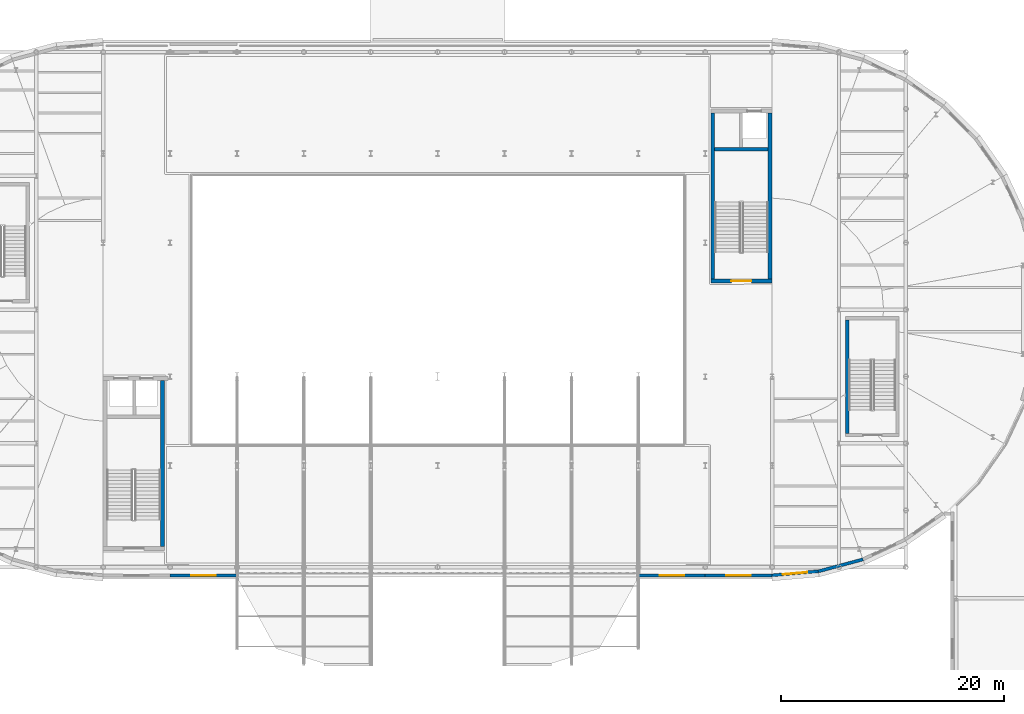
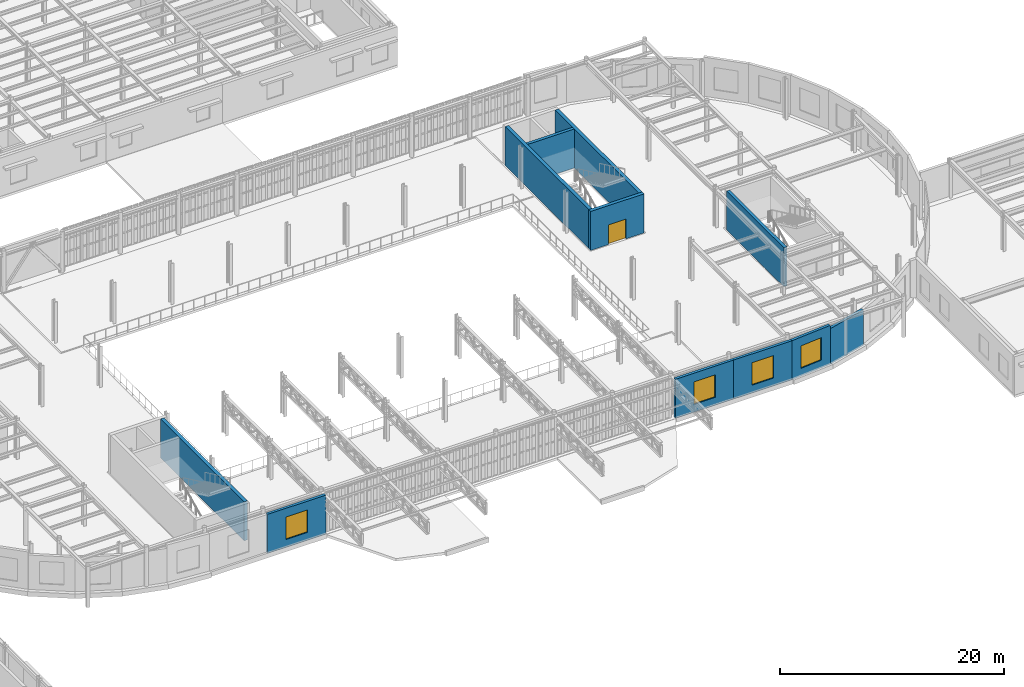
# One storey, part 66 of 91: 11 walls, 4 windows, 1 door, 5 openings.
"""IFC4 building model written with IfcOpenShell, lengths in metres."""

from ifc_helpers import new_model, si_unit, direction, frame, frame_2d, origin, place, context, subcontext, project, spatial, rectangle, extrude, material, layer, layer_set, type_object, element, fill, save


model = new_model("IFC4")

# Units and contexts
model_context = context("Model", 3, precision=1e-05, world=origin(), true_north=direction((0.0, 1.0)))
body_context = subcontext(model_context, "Body", "Model", "MODEL_VIEW")
ifc_project = project(units=[si_unit("LENGTHUNIT", "METRE"), si_unit("AREAUNIT", "SQUARE_METRE"), si_unit("VOLUMEUNIT", "CUBIC_METRE"), si_unit("PLANEANGLEUNIT", "RADIAN"), si_unit("MASSUNIT", "GRAM", prefix="KILO")], contexts=[model_context])

# Site, building, storey
site_placement = place(None, origin())
site = spatial("IfcSite", under=ifc_project, at=site_placement, CompositionType="ELEMENT")
building_placement = place(site_placement, origin())
building = spatial("IfcBuilding", under=site, at=building_placement, Name="Kolvaren Corner Interchange", CompositionType="ELEMENT")
storey_placement = place(building_placement, frame((0.0, 0.0, 6.0)))
storey = spatial("IfcBuildingStorey", under=building, at=storey_placement, Name="L02", CompositionType="ELEMENT", Elevation=6.0)

# Wall
ifc_material_1 = material(Name="Concrete C35/45", Category="concrete")
ifc_layer_1 = layer(ifc_material_1, 0.35009765625)
ifc_layer_set_1 = layer_set([ifc_layer_1], Name="Concrete C35/45")
wall_type_1 = type_object("IfcWallType", Name="WL-CORE-350", PredefinedType="SHEAR", material=ifc_layer_set_1)
wall_1_placement = place(storey_placement, frame((65.324951171875, 26.75, 0.0), z_axis=(0.0, 0.0, 1.0), x_axis=(0.0, 1.0, 0.0)))
element("IfcWall", 1, at=wall_1_placement, inside=storey, type_object=wall_type_1, Name="Core C3 L02 East Shear Wall", PredefinedType="SHEAR", context=body_context, shape_type="SweptSolid", body=[
    extrude(rectangle(XDim=14.89990234375, YDim=0.35009765625, at=frame_2d((7.449951171875, 0.0))), origin(), (0.0, 0.0, 1.0), 4.25),
])

# Wall, opening, door
wall_2_placement = place(storey_placement, frame((114.5, 50.574951171875, 0.0), z_axis=(0.0, 0.0, 1.0), x_axis=(1.0, 0.0, 0.0)))
wall_2 = element("IfcWall", 2, at=wall_2_placement, inside=storey, type_object=wall_type_1, Name="Core C4 L02 South Shear Wall", PredefinedType="SHEAR", context=body_context, shape_type="SweptSolid", body=[
    extrude(rectangle(XDim=5.5, YDim=0.35009765625, at=frame_2d((2.75, 0.0))), origin(), (0.0, 0.0, 1.0), 4.25),
])
opening_1_placement = place(wall_2_placement, frame((1.85009765625, 0.0, 0.0)))
opening_1 = element("IfcOpeningElement", 3, at=opening_1_placement, cuts=wall_2, Name="Opening D-F01", PredefinedType="OPENING", context=body_context, shape_type="SweptSolid", body=[
    extrude(rectangle(XDim=1.800048828125, YDim=2.14990234375, at=frame_2d((0.89990234375, 1.074951171875))), frame((0.0, 0.18505859375, 0.0), z_axis=(0.0, -1.0, 0.0), x_axis=(1.0, 0.0, 0.0)), (0.0, 0.0, 1.0), 0.3701171875),
])
ifc_material_2 = material(Name="Powder-coated Fire-rated Steel Sheet", Category="steel")
door_type = type_object("IfcDoorType", Name="DT-FD-1800x2150", OperationType="NOTDEFINED", PredefinedType="DOOR", material=ifc_material_2)
door_placement = place(opening_1_placement, origin())
door = element("IfcDoor", 4, at=door_placement, inside=storey, type_object=door_type, Name="Core C4 East Concourse Transfer Stair L02 Protected Exit Door", OperationType="DOUBLE_DOOR_SINGLE_SWING", OverallHeight=2.14990234375, OverallWidth=1.800048828125, PredefinedType="DOOR", context=body_context, shape_type="SweptSolid", body=[
    extrude(rectangle(XDim=1.800048828125, YDim=2.14990234375, at=frame_2d((0.89990234375, 1.074951171875))), frame((0.0, 0.02490234375, 0.0), z_axis=(0.0, -1.0, 0.0), x_axis=(1.0, 0.0, 0.0)), (0.0, 0.0, 1.0), 0.050048828125),
])
fill(opening_1, door)

# Walls
for number, where, z_axis, x_axis, name in (
    (5, (114.675048828125, 50.75, 0.0), (0.0, 0.0, 1.0), (0.0, 1.0, 0.0), "Core C4 L02 West Shear Wall"),
    (6, (119.824951171875, 50.75, 0.0), (0.0, 0.0, 1.0), (0.0, 1.0, 0.0), "Core C4 L02 East Shear Wall"),
):
    element("IfcWall", number, at=place(storey_placement, frame(where, z_axis=z_axis, x_axis=x_axis)), inside=storey, type_object=wall_type_1, Name=name, PredefinedType="SHEAR", context=body_context, shape_type="SweptSolid", body=[
        extrude(rectangle(XDim=14.89990234375, YDim=0.35009765625, at=frame_2d((7.449951171875, 0.0))), origin(), (0.0, 0.0, 1.0), 4.25),
    ])
ifc_material_3 = material(Name="Concrete C35/45", Category="concrete")
ifc_layer_2 = layer(ifc_material_3, 0.31005859375)
ifc_layer_set_2 = layer_set([ifc_layer_2], Name="Concrete C35/45")
wall_type_2 = type_object("IfcWallType", Name="WL-STAIR-300", PredefinedType="SHEAR", material=ifc_layer_set_2)
wall_3_placement = place(storey_placement, frame((114.85009765625, 62.39990234375, 0.0), z_axis=(0.0, 0.0, 1.0), x_axis=(1.0, 0.0, 0.0)))
element("IfcWall", 7, at=wall_3_placement, inside=storey, type_object=wall_type_2, Name="Core C4 L02 Lift and Stairwell Divider Wall", PredefinedType="SHEAR", context=body_context, shape_type="SweptSolid", body=[
    extrude(rectangle(XDim=4.7998046875, YDim=0.31005859375, at=frame_2d((2.39990234375, 0.0))), origin(), (0.0, 0.0, 1.0), 4.25),
])
wall_4_placement = place(storey_placement, frame((126.7548828125, 36.909912109375, 0.0), z_axis=(0.0, 0.0, 1.0), x_axis=(0.0, 1.0, 0.0)))
element("IfcWall", 8, at=wall_4_placement, inside=storey, type_object=wall_type_2, Name="East Racetrack Concourse Gallery Stair L02 West Enclosure Wall", PredefinedType="SHEAR", context=body_context, shape_type="SweptSolid", body=[
    extrude(rectangle(XDim=10.18017578125, YDim=0.31005859375, at=frame_2d((5.090087890625, 0.0))), origin(), (0.0, 0.0, 1.0), 4.25),
])

# Wall, opening, window
ifc_material_4 = material(Name="White Glazed Ceramic Terracotta Band Assembly", Category="masonry")
ifc_layer_3 = layer(ifc_material_4, 0.280029296875)
ifc_layer_set_3 = layer_set([ifc_layer_3], Name="White Glazed Ceramic Terracotta Band Assembly")
wall_type_3 = type_object("IfcWallType", Name="WT-EXT-WHT280", PredefinedType="SOLIDWALL", material=ifc_layer_set_3)
wall_5_placement = place(storey_placement, frame((120.0, 24.159912109375, 0.0), z_axis=(0.0, 0.0, 1.0), x_axis=(0.99619237826, 0.087182254487, 0.0)))
wall_5 = element("IfcWall", 9, at=wall_5_placement, inside=storey, type_object=wall_type_3, Name="Racetrack East Curved Drum Chord 01 Wall 0116", PredefinedType="SOLIDWALL", context=body_context, shape_type="SweptSolid", body=[
    extrude(rectangle(XDim=4.15576171875, YDim=0.280029296875, at=frame_2d((2.077880859375, 0.0))), origin(), (0.0, 0.0, 1.0), 4.25),
])
opening_2_placement = place(wall_5_placement, frame((0.977783203125, 0.0, 0.85009765625)))
opening_2 = element("IfcOpeningElement", 10, at=opening_2_placement, cuts=wall_5, Name="Opening W-04", PredefinedType="OPENING", context=body_context, shape_type="SweptSolid", body=[
    extrude(rectangle(XDim=2.199951171875, YDim=2.449951171875, at=frame_2d((1.10009765625, 1.22509765625))), frame((0.0, 0.14990234375, 0.0), z_axis=(0.0, -1.0, 0.0), x_axis=(1.0, 0.0, 0.0)), (0.0, 0.0, 1.0), 0.300048828125),
])
ifc_material_5 = material(Name="Thermally Broken Aluminium and Solar-Control Double Glazing", Category="aluminium")
window_type = type_object("IfcWindowType", Name="WT-ARC-2200x2450", PartitioningType="DOUBLE_PANEL_VERTICAL", PredefinedType="WINDOW", material=ifc_material_5)
window_1_placement = place(opening_2_placement, origin())
window_1 = element("IfcWindow", 11, at=window_1_placement, inside=storey, type_object=window_type, Name="L02 Racetrack East Curved Drum Chord 01 Window 0184", OverallHeight=2.449951171875, OverallWidth=2.199951171875, PartitioningType="SINGLE_PANEL", PredefinedType="WINDOW", context=body_context, shape_type="SweptSolid", body=[
    extrude(rectangle(XDim=2.199951171875, YDim=2.449951171875, at=frame_2d((1.10009765625, 1.22509765625))), frame((0.0, 0.030029296875, 0.0), z_axis=(0.0, -1.0, 0.0), x_axis=(1.0, 0.0, 0.0)), (0.0, 0.0, 1.0), 0.06005859375),
])
fill(opening_2, window_1)

# Wall
wall_6_placement = place(storey_placement, frame((124.139892578125, 24.522216796875, 0.0), z_axis=(0.0, 0.0, 1.0), x_axis=(0.965931006096, 0.258799713026, 0.0)))
element("IfcWall", 12, at=wall_6_placement, inside=storey, type_object=wall_type_3, Name="Racetrack East Curved Drum Chord 02 Wall 0117", PredefinedType="SOLIDWALL", context=body_context, shape_type="SweptSolid", body=[
    extrude(rectangle(XDim=4.155517578125, YDim=0.280029296875, at=frame_2d((2.07763671875, 0.0))), origin(), (0.0, 0.0, 1.0), 3.885009765625),
])

# Wall, opening, window
wall_7_placement = place(storey_placement, frame((66.0, 24.159912109375, 0.0), z_axis=(0.0, 0.0, 1.0), x_axis=(1.0, 0.0, 0.0)))
wall_7 = element("IfcWall", 13, at=wall_7_placement, inside=storey, type_object=wall_type_3, Name="South Portal Flank West Mezzanine Wall 0152", PredefinedType="SOLIDWALL", context=body_context, shape_type="SweptSolid", body=[
    extrude(rectangle(XDim=6.0, YDim=0.280029296875, at=frame_2d((3.0, 0.0))), origin(), (0.0, 0.0, 1.0), 4.25),
])
opening_3_placement = place(wall_7_placement, frame((1.89990234375, 0.0, 0.85009765625)))
opening_3 = element("IfcOpeningElement", 14, at=opening_3_placement, cuts=wall_7, Name="Opening W-04", PredefinedType="OPENING", context=body_context, shape_type="SweptSolid", body=[
    extrude(rectangle(XDim=2.199951171875, YDim=2.449951171875, at=frame_2d((1.10009765625, 1.22509765625))), frame((0.0, 0.14990234375, 0.0), z_axis=(0.0, -1.0, 0.0), x_axis=(1.0, 0.0, 0.0)), (0.0, 0.0, 1.0), 0.300048828125),
])
window_2_placement = place(opening_3_placement, origin())
window_2 = element("IfcWindow", 15, at=window_2_placement, inside=storey, type_object=window_type, Name="L02 South Portal Flank West Mezzanine Window 0214", OverallHeight=2.449951171875, OverallWidth=2.199951171875, PartitioningType="SINGLE_PANEL", PredefinedType="WINDOW", context=body_context, shape_type="SweptSolid", body=[
    extrude(rectangle(XDim=2.199951171875, YDim=2.449951171875, at=frame_2d((1.10009765625, 1.22509765625))), frame((0.0, 0.030029296875, 0.0), z_axis=(0.0, -1.0, 0.0), x_axis=(1.0, 0.0, 0.0)), (0.0, 0.0, 1.0), 0.06005859375),
])
fill(opening_3, window_2)

wall_8_placement = place(storey_placement, frame((108.0, 24.159912109375, 0.0), z_axis=(0.0, 0.0, 1.0), x_axis=(1.0, 0.0, 0.0)))
wall_8 = element("IfcWall", 16, at=wall_8_placement, inside=storey, type_object=wall_type_3, Name="South Portal Flank East Mezzanine Wall 0154", PredefinedType="SOLIDWALL", context=body_context, shape_type="SweptSolid", body=[
    extrude(rectangle(XDim=6.0, YDim=0.280029296875, at=frame_2d((3.0, 0.0))), origin(), (0.0, 0.0, 1.0), 4.25),
])
opening_4_placement = place(wall_8_placement, frame((1.89990234375, 0.0, 0.85009765625)))
opening_4 = element("IfcOpeningElement", 17, at=opening_4_placement, cuts=wall_8, Name="Opening W-04", PredefinedType="OPENING", context=body_context, shape_type="SweptSolid", body=[
    extrude(rectangle(XDim=2.199951171875, YDim=2.449951171875, at=frame_2d((1.10009765625, 1.22509765625))), frame((0.0, 0.14990234375, 0.0), z_axis=(0.0, -1.0, 0.0), x_axis=(1.0, 0.0, 0.0)), (0.0, 0.0, 1.0), 0.300048828125),
])
window_3_placement = place(opening_4_placement, origin())
window_3 = element("IfcWindow", 18, at=window_3_placement, inside=storey, type_object=window_type, Name="L02 South Portal Flank East Mezzanine Window 0215", OverallHeight=2.449951171875, OverallWidth=2.199951171875, PartitioningType="SINGLE_PANEL", PredefinedType="WINDOW", context=body_context, shape_type="SweptSolid", body=[
    extrude(rectangle(XDim=2.199951171875, YDim=2.449951171875, at=frame_2d((1.10009765625, 1.22509765625))), frame((0.0, 0.030029296875, 0.0), z_axis=(0.0, -1.0, 0.0), x_axis=(1.0, 0.0, 0.0)), (0.0, 0.0, 1.0), 0.06005859375),
])
fill(opening_4, window_3)

wall_9_placement = place(storey_placement, frame((114.0, 24.159912109375, 0.0), z_axis=(0.0, 0.0, 1.0), x_axis=(1.0, 0.0, 0.0)))
wall_9 = element("IfcWall", 19, at=wall_9_placement, inside=storey, type_object=wall_type_3, Name="South East Concourse Mezzanine Wall 0156", PredefinedType="SOLIDWALL", context=body_context, shape_type="SweptSolid", body=[
    extrude(rectangle(XDim=6.0, YDim=0.280029296875, at=frame_2d((3.0, 0.0))), origin(), (0.0, 0.0, 1.0), 4.25),
])
opening_5_placement = place(wall_9_placement, frame((1.89990234375, 0.0, 0.85009765625)))
opening_5 = element("IfcOpeningElement", 20, at=opening_5_placement, cuts=wall_9, Name="Opening W-04", PredefinedType="OPENING", context=body_context, shape_type="SweptSolid", body=[
    extrude(rectangle(XDim=2.199951171875, YDim=2.449951171875, at=frame_2d((1.10009765625, 1.22509765625))), frame((0.0, 0.14990234375, 0.0), z_axis=(0.0, -1.0, 0.0), x_axis=(1.0, 0.0, 0.0)), (0.0, 0.0, 1.0), 0.300048828125),
])
window_4_placement = place(opening_5_placement, origin())
window_4 = element("IfcWindow", 21, at=window_4_placement, inside=storey, type_object=window_type, Name="L02 South East Concourse Mezzanine Window 0217", OverallHeight=2.449951171875, OverallWidth=2.199951171875, PartitioningType="SINGLE_PANEL", PredefinedType="WINDOW", context=body_context, shape_type="SweptSolid", body=[
    extrude(rectangle(XDim=2.199951171875, YDim=2.449951171875, at=frame_2d((1.10009765625, 1.22509765625))), frame((0.0, 0.030029296875, 0.0), z_axis=(0.0, -1.0, 0.0), x_axis=(1.0, 0.0, 0.0)), (0.0, 0.0, 1.0), 0.06005859375),
])
fill(opening_5, window_4)

save(model, "model.ifc")
